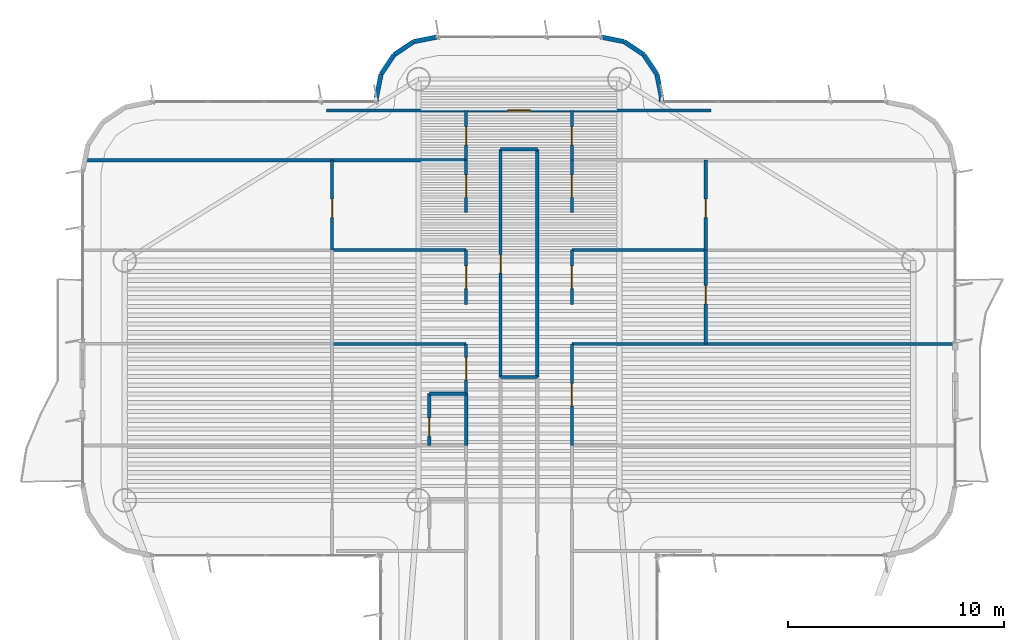
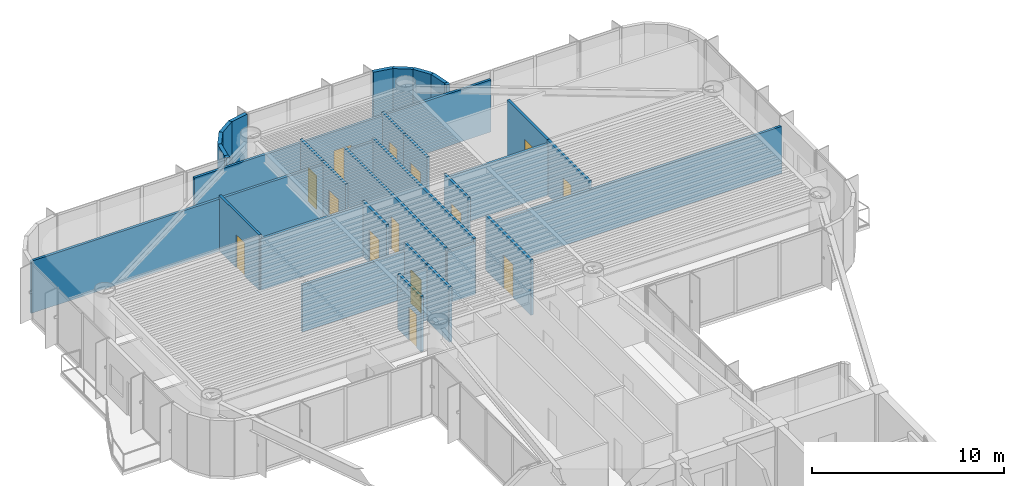
# One storey, part 11 of 14: 34 walls, 14 doors, 14 openings.
"""IFC4 building model written with IfcOpenShell, lengths in metres."""

from ifc_helpers import new_model, si_unit, direction, frame, frame_2d, origin, origin_2d, place, context, subcontext, project, spatial, rectangle, extrude, source, transform, mapped, material, layer, layer_set, type_object, element, fill, save


model = new_model("IFC4")

# Units and contexts
model_context = context("Model", 3, precision=1e-05, world=origin(), true_north=direction((0.0, 1.0)))
body_context = subcontext(model_context, "Body", "Model", "MODEL_VIEW")
ifc_project = project(units=[si_unit("LENGTHUNIT", "METRE"), si_unit("AREAUNIT", "SQUARE_METRE"), si_unit("VOLUMEUNIT", "CUBIC_METRE"), si_unit("PLANEANGLEUNIT", "RADIAN"), si_unit("MASSUNIT", "GRAM", prefix="KILO")], contexts=[model_context])

# Site, building, storey
site_placement = place(None, origin())
site = spatial("IfcSite", under=ifc_project, at=site_placement, CompositionType="ELEMENT")
building_placement = place(site_placement, origin())
building = spatial("IfcBuilding", under=site, at=building_placement, Name="Brelvock Crest Care Tower", CompositionType="ELEMENT")
storey_placement = place(building_placement, frame((0.0, 0.0, 198.0)))
storey = spatial("IfcBuildingStorey", under=building, at=storey_placement, Name="L50", CompositionType="ELEMENT", Elevation=198.0)

# Walls
ifc_material_1 = material(Name="Precast concrete N40 (40 MPa)", Category="concrete")
ifc_layer_1 = layer(ifc_material_1, 0.215087890625, Name="WL-EX2")
ifc_layer_set_1 = layer_set([ifc_layer_1], Name="Precast concrete N40 (40 MPa)")
wall_type_1 = type_object("IfcWallType", Name="WL-EX2", PredefinedType="SOLIDWALL", material=ifc_layer_set_1)
wall_1_placement = place(storey_placement, frame((29.39990234375, 53.39990234375, 0.0), z_axis=(0.0, 0.0, 1.0), x_axis=(0.0, 1.0, 0.0)))
element("IfcWall", 1, at=wall_1_placement, inside=storey, type_object=wall_type_1, Name="L50 Rounded Corner Wall 23", PredefinedType="SOLIDWALL", context=body_context, shape_type="SweptSolid", body=[
    extrude(rectangle(XDim=0.2001953125, YDim=0.215087890625, at=frame_2d((0.10009765625, 0.0))), origin(), (0.0, 0.0, 1.0), 3.530029296875),
])
wall_2_placement = place(storey_placement, frame((29.39990234375, 53.60009765625, 0.0), z_axis=(0.0, 0.0, 1.0), x_axis=(0.195127417394, 0.980777900945, 0.0)))
element("IfcWall", 2, at=wall_2_placement, inside=storey, type_object=wall_type_1, Name="L50 Rounded Corner Wall 24", PredefinedType="SOLIDWALL", context=body_context, shape_type="SweptSolid", body=[
    extrude(rectangle(XDim=1.09228515625, YDim=0.215087890625, at=frame_2d((0.546142578125, 0.0))), origin(), (0.0, 0.0, 1.0), 3.530029296875),
])
wall_3_placement = place(storey_placement, frame((29.613037109375, 54.67138671875, 0.0), z_axis=(0.0, 0.0, 1.0), x_axis=(0.555679482341, 0.831396603857, 0.0)))
element("IfcWall", 3, at=wall_3_placement, inside=storey, type_object=wall_type_1, Name="L50 Rounded Corner Wall 25", PredefinedType="SOLIDWALL", context=body_context, shape_type="SweptSolid", body=[
    extrude(rectangle(XDim=1.0927734375, YDim=0.215087890625, at=frame_2d((0.54638671875, 0.0))), origin(), (0.0, 0.0, 1.0), 3.530029296875),
])
for number, where, z_axis, x_axis, name in (
    (4, (30.22021484375, 55.579833984375, 0.0), (0.0, 0.0, 1.0), (0.831327592857, 0.555782721353, 0.0), "L50 Rounded Corner Wall 26"),
    (5, (31.12841796875, 56.18701171875, 0.0), (0.0, 0.0, 1.0), (0.980829143587, 0.194869677195, 0.0), "L50 Rounded Corner Wall 27"),
    (6, (39.800048828125, 56.39990234375, 0.0), (0.0, 0.0, 1.0), (0.980829143587, -0.194869677195, 0.0), "L50 Rounded Corner Wall 29"),
    (7, (40.87158203125, 56.18701171875, 0.0), (0.0, 0.0, 1.0), (0.831327592857, -0.555782721353, 0.0), "L50 Rounded Corner Wall 30"),
):
    element("IfcWall", number, at=place(storey_placement, frame(where, z_axis=z_axis, x_axis=x_axis)), inside=storey, type_object=wall_type_1, Name=name, PredefinedType="SOLIDWALL", context=body_context, shape_type="SweptSolid", body=[
        extrude(rectangle(XDim=1.092529296875, YDim=0.215087890625, at=frame_2d((0.54638671875, 0.0))), origin(), (0.0, 0.0, 1.0), 3.530029296875),
    ])
wall_4_placement = place(storey_placement, frame((41.77978515625, 55.579833984375, 0.0), z_axis=(0.0, 0.0, 1.0), x_axis=(0.555679482341, -0.831396603857, 0.0)))
element("IfcWall", 8, at=wall_4_placement, inside=storey, type_object=wall_type_1, Name="L50 Rounded Corner Wall 31", PredefinedType="SOLIDWALL", context=body_context, shape_type="SweptSolid", body=[
    extrude(rectangle(XDim=1.0927734375, YDim=0.215087890625, at=frame_2d((0.54638671875, 0.0))), origin(), (0.0, 0.0, 1.0), 3.530029296875),
])
wall_5_placement = place(storey_placement, frame((42.386962890625, 54.67138671875, 0.0), z_axis=(0.0, 0.0, 1.0), x_axis=(0.195127417394, -0.980777900945, 0.0)))
element("IfcWall", 9, at=wall_5_placement, inside=storey, type_object=wall_type_1, Name="L50 Rounded Corner Wall 32", PredefinedType="SOLIDWALL", context=body_context, shape_type="SweptSolid", body=[
    extrude(rectangle(XDim=1.09228515625, YDim=0.215087890625, at=frame_2d((0.546142578125, 0.0))), origin(), (0.0, 0.0, 1.0), 3.530029296875),
])
wall_6_placement = place(storey_placement, frame((42.60009765625, 53.60009765625, 0.0), z_axis=(0.0, 0.0, 1.0), x_axis=(0.0, -1.0, 0.0)))
element("IfcWall", 10, at=wall_6_placement, inside=storey, type_object=wall_type_1, Name="L50 Rounded Corner Wall 33", PredefinedType="SOLIDWALL", context=body_context, shape_type="SweptSolid", body=[
    extrude(rectangle(XDim=0.2001953125, YDim=0.215087890625, at=frame_2d((0.10009765625, 0.0))), origin(), (0.0, 0.0, 1.0), 3.530029296875),
])
ifc_material_2 = material(Name="Masonry Blockwork Acoustic Partition", Category="masonry")
ifc_layer_2 = layer(ifc_material_2, 0.14990234375, Name="WL-INT1")
ifc_layer_set_2 = layer_set([ifc_layer_2], Name="Masonry Blockwork Acoustic Partition")
wall_type_2 = type_object("IfcWallType", Name="WL-INT1", PredefinedType="PARTITIONING", material=ifc_layer_set_2)
wall_7_placement = place(storey_placement, frame((35.14990234375, 40.659912109375, 0.0), z_axis=(0.0, 0.0, 1.0), x_axis=(1.0, 0.0, 0.0)))
element("IfcWall", 11, at=wall_7_placement, inside=storey, type_object=wall_type_2, Name="L50 Interior Wall WL-BX-L50-ISKT-S", PredefinedType="PARTITIONING", context=body_context, shape_type="SweptSolid", body=[
    extrude(rectangle(XDim=1.7001953125, YDim=0.14990234375, at=frame_2d((0.85009765625, 0.0))), origin(), (0.0, 0.0, 1.0), 3.259033203125),
])
wall_8_placement = place(storey_placement, frame((27.35009765625, 42.193115234375, 0.0), z_axis=(0.0, 0.0, 1.0), x_axis=(1.0, 0.0, 0.0)))
element("IfcWall", 12, at=wall_8_placement, inside=storey, type_object=wall_type_2, Name="L50 Interior Wall WL-BX-L50-CS-WS2-N", PredefinedType="PARTITIONING", context=body_context, shape_type="SweptSolid", body=[
    extrude(rectangle(XDim=6.199951171875, YDim=0.14990234375, at=frame_2d((3.10009765625, 0.0))), origin(), (0.0, 0.0, 1.0), 2.98193359375),
])
wall_9_placement = place(storey_placement, frame((38.449951171875, 42.193115234375, 0.0), z_axis=(0.0, 0.0, 1.0), x_axis=(1.0, 0.0, 0.0)))
element("IfcWall", 13, at=wall_9_placement, inside=storey, type_object=wall_type_2, Name="L50 Interior Wall WL-BX-L50-ESW2-N", PredefinedType="PARTITIONING", context=body_context, shape_type="SweptSolid", body=[
    extrude(rectangle(XDim=17.670166015625, YDim=0.14990234375, at=frame_2d((8.8349609375, 0.0))), origin(), (0.0, 0.0, 1.0), 2.98193359375),
])
for number, where, z_axis, x_axis, name in (
    (14, (27.35009765625, 46.537109375, 0.0), (0.0, 0.0, 1.0), (1.0, 0.0, 0.0), "L50 Interior Wall WL-BX-L50-CS-WS3-N"),
    (15, (38.449951171875, 46.537109375, 0.0), (0.0, 0.0, 1.0), (1.0, 0.0, 0.0), "L50 Interior Wall WL-BX-L50-CS-ES3-N"),
):
    element("IfcWall", number, at=place(storey_placement, frame(where, z_axis=z_axis, x_axis=x_axis)), inside=storey, type_object=wall_type_2, Name=name, PredefinedType="PARTITIONING", context=body_context, shape_type="SweptSolid", body=[
        extrude(rectangle(XDim=6.199951171875, YDim=0.14990234375, at=frame_2d((3.10009765625, 0.0))), origin(), (0.0, 0.0, 1.0), 3.259033203125),
    ])
wall_10_placement = place(storey_placement, frame((15.98095703125, 50.699951171875, 0.0), z_axis=(0.0, 0.0, 1.0), x_axis=(1.0, 0.0, 0.0)))
element("IfcWall", 16, at=wall_10_placement, inside=storey, type_object=wall_type_2, Name="L50 Interior Wall WL-BX-L50-NALW-S", PredefinedType="PARTITIONING", context=body_context, shape_type="SweptSolid", body=[
    extrude(rectangle(XDim=17.569091796875, YDim=0.14990234375, at=frame_2d((8.78466796875, 0.0))), origin(), (0.0, 0.0, 1.0), 3.30810546875),
])
wall_11_placement = place(storey_placement, frame((35.14990234375, 51.199951171875, 0.0), z_axis=(0.0, 0.0, 1.0), x_axis=(1.0, 0.0, 0.0)))
element("IfcWall", 17, at=wall_11_placement, inside=storey, type_object=wall_type_2, Name="L50 Interior Wall WL-BX-L50-ISKT-N", PredefinedType="PARTITIONING", context=body_context, shape_type="SweptSolid", body=[
    extrude(rectangle(XDim=1.7001953125, YDim=0.14990234375, at=frame_2d((0.85009765625, 0.0))), origin(), (0.0, 0.0, 1.0), 3.30810546875),
])

# Wall, opening, door
wall_12_placement = place(storey_placement, frame((27.10009765625, 53.0, 0.0), z_axis=(0.0, 0.0, 1.0), x_axis=(1.0, 0.0, 0.0)))
wall_12 = element("IfcWall", 18, at=wall_12_placement, inside=storey, type_object=wall_type_2, Name="L50 Interior Wall WL-RM-L50-NHUB", PredefinedType="PARTITIONING", context=body_context, shape_type="SweptSolid", body=[
    extrude(rectangle(XDim=17.7998046875, YDim=0.14990234375, at=frame_2d((8.89990234375, 0.0))), origin(), (0.0, 0.0, 1.0), 3.30810546875),
])
opening_1_placement = place(wall_12_placement, frame((8.375, 0.0, 0.0)))
opening_1 = element("IfcOpeningElement", 19, at=opening_1_placement, cuts=wall_12, Name="Opening CLD-1", PredefinedType="OPENING", context=body_context, shape_type="SweptSolid", body=[
    extrude(rectangle(XDim=1.050048828125, YDim=2.10009765625, at=origin_2d()), frame((0.52490234375, 0.0849609375, 1.050048828125), z_axis=(0.0, -1.0, 0.0), x_axis=(1.0, 0.0, 0.0)), (0.0, 0.0, 1.0), 0.169921875),
])
ifc_material_3 = material(Name="Engineered Hardwood Timber", Category="wood")
door_type_1 = type_object("IfcDoorType", Name="DR-CLN1", OperationType="NOTDEFINED", PredefinedType="DOOR", material=ifc_material_3)
shared_shape_1 = source(origin(), body_context, "Body", "SweptSolid", [
    extrude(rectangle(XDim=1.050048828125, YDim=2.10009765625, at=origin_2d()), frame((0.52490234375, 0.02490234375, 1.050048828125), z_axis=(0.0, -1.0, 0.0), x_axis=(1.0, 0.0, 0.0)), (0.0, 0.0, 1.0), 0.050048828125),
])
door_1_placement = place(opening_1_placement, origin())
door_1 = element("IfcDoor", 20, at=door_1_placement, inside=storey, type_object=door_type_1, Name="L50 North Crest Conservatory Lounge Door NHUB", OperationType="SINGLE_SWING_LEFT", OverallHeight=2.10009765625, OverallWidth=1.050048828125, PredefinedType="DOOR", context=body_context, shape_type="MappedRepresentation", body=[
    mapped(shared_shape_1, transform((0.0, 0.0, 0.0), x_axis=(1.0, 0.0, 0.0), y_axis=(0.0, 1.0, 0.0), z_axis=(0.0, 0.0, 1.0), scale=1.0)),
])
fill(opening_1, door_1)

wall_13_placement = place(storey_placement, frame((27.35009765625, 46.537109375, 0.0), z_axis=(0.0, 0.0, 1.0), x_axis=(0.0, 1.0, 0.0)))
wall_13 = element("IfcWall", 21, at=wall_13_placement, inside=storey, type_object=wall_type_2, Name="L50 Interior Wall WL-RM-L50-WS4S", PredefinedType="PARTITIONING", context=body_context, shape_type="SweptSolid", body=[
    extrude(rectangle(XDim=4.162841796875, YDim=0.14990234375, at=frame_2d((2.08154296875, 0.0))), origin(), (0.0, 0.0, 1.0), 3.5),
])
opening_2_placement = place(wall_13_placement, frame((1.5029296875, 0.0, 0.0)))
opening_2 = element("IfcOpeningElement", 22, at=opening_2_placement, cuts=wall_13, Name="Opening ID-1", PredefinedType="OPENING", context=body_context, shape_type="SweptSolid", body=[
    extrude(rectangle(XDim=0.860107421875, YDim=2.10009765625, at=origin_2d()), frame((0.43017578125, 0.0849609375, 1.050048828125), z_axis=(0.0, -1.0, 0.0), x_axis=(1.0, 0.0, 0.0)), (0.0, 0.0, 1.0), 0.169921875),
])
door_type_2 = type_object("IfcDoorType", Name="DR-INT1", OperationType="NOTDEFINED", PredefinedType="DOOR", material=ifc_material_3)
shared_shape_2 = source(origin(), body_context, "Body", "SweptSolid", [
    extrude(rectangle(XDim=0.860107421875, YDim=2.10009765625, at=origin_2d()), frame((0.43017578125, 0.02490234375, 1.050048828125), z_axis=(0.0, -1.0, 0.0), x_axis=(1.0, 0.0, 0.0)), (0.0, 0.0, 1.0), 0.050048828125),
])
door_2_placement = place(opening_2_placement, origin())
door_2 = element("IfcDoor", 23, at=door_2_placement, inside=storey, type_object=door_type_2, Name="L50 Skilled Nursing Mobility Store Door WS4S", OperationType="SINGLE_SWING_LEFT", OverallHeight=2.10009765625, OverallWidth=0.860107421875, PredefinedType="DOOR", context=body_context, shape_type="MappedRepresentation", body=[
    mapped(shared_shape_2, transform((0.0, 0.0, 0.0), x_axis=(1.0, 0.0, 0.0), y_axis=(0.0, 1.0, 0.0), z_axis=(0.0, 0.0, 1.0), scale=1.0)),
])
fill(opening_2, door_2)

wall_14_placement = place(storey_placement, frame((33.550048828125, 39.886962890625, 0.0), z_axis=(0.0, 0.0, 1.0), x_axis=(0.0, 1.0, 0.0)))
wall_14 = element("IfcWall", 24, at=wall_14_placement, inside=storey, type_object=wall_type_2, Name="L50 Interior Wall WL-CENT-L50-WS2", PredefinedType="PARTITIONING", context=body_context, shape_type="SweptSolid", body=[
    extrude(rectangle(XDim=2.30615234375, YDim=0.14990234375, at=frame_2d((1.153076171875, 0.0))), origin(), (0.0, 0.0, 1.0), 3.5),
])
opening_3_placement = place(wall_14_placement, frame((0.633056640625, 0.0, 0.0)))
opening_3 = element("IfcOpeningElement", 25, at=opening_3_placement, cuts=wall_14, Name="Opening CD-1", PredefinedType="OPENING", context=body_context, shape_type="SweptSolid", body=[
    extrude(rectangle(XDim=1.050048828125, YDim=2.10009765625, at=origin_2d()), frame((0.52490234375, 0.0849609375, 1.050048828125), z_axis=(0.0, -1.0, 0.0), x_axis=(1.0, 0.0, 0.0)), (0.0, 0.0, 1.0), 0.169921875),
])
door_type_3 = type_object("IfcDoorType", Name="DR-CARE1", OperationType="NOTDEFINED", PredefinedType="DOOR", material=ifc_material_3)
shared_shape_3 = source(origin(), body_context, "Body", "SweptSolid", [
    extrude(rectangle(XDim=1.050048828125, YDim=2.10009765625, at=origin_2d()), frame((0.52490234375, 0.02490234375, 1.050048828125), z_axis=(0.0, -1.0, 0.0), x_axis=(1.0, 0.0, 0.0)), (0.0, 0.0, 1.0), 0.050048828125),
])
door_3_placement = place(opening_3_placement, origin())
door_3 = element("IfcDoor", 26, at=door_3_placement, inside=storey, type_object=door_type_3, Name="L50 Care Suite Door WS2", OperationType="SINGLE_SWING_LEFT", OverallHeight=2.10009765625, OverallWidth=1.050048828125, PredefinedType="DOOR", context=body_context, shape_type="MappedRepresentation", body=[
    mapped(shared_shape_3, transform((0.0, 0.0, 0.0), x_axis=(1.0, 0.0, 0.0), y_axis=(0.0, 1.0, 0.0), z_axis=(0.0, 0.0, 1.0), scale=1.0)),
])
fill(opening_3, door_3)

wall_15_placement = place(storey_placement, frame((33.550048828125, 44.01708984375, 0.0), z_axis=(0.0, 0.0, 1.0), x_axis=(0.0, 1.0, 0.0)))
wall_15 = element("IfcWall", 27, at=wall_15_placement, inside=storey, type_object=wall_type_2, Name="L50 Interior Wall WL-CENT-L50-WS3", PredefinedType="PARTITIONING", context=body_context, shape_type="SweptSolid", body=[
    extrude(rectangle(XDim=2.52001953125, YDim=0.14990234375, at=frame_2d((1.260009765625, 0.0))), origin(), (0.0, 0.0, 1.0), 3.5),
])
opening_4_placement = place(wall_15_placement, frame((0.739990234375, 0.0, 0.0)))
opening_4 = element("IfcOpeningElement", 28, at=opening_4_placement, cuts=wall_15, Name="Opening CD-1", PredefinedType="OPENING", context=body_context, shape_type="SweptSolid", body=[
    extrude(rectangle(XDim=1.050048828125, YDim=2.10009765625, at=origin_2d()), frame((0.52490234375, 0.0849609375, 1.050048828125), z_axis=(0.0, -1.0, 0.0), x_axis=(1.0, 0.0, 0.0)), (0.0, 0.0, 1.0), 0.169921875),
])
door_4_placement = place(opening_4_placement, origin())
door_4 = element("IfcDoor", 29, at=door_4_placement, inside=storey, type_object=door_type_3, Name="L50 Care Suite Door WS3", OperationType="SINGLE_SWING_LEFT", OverallHeight=2.10009765625, OverallWidth=1.050048828125, PredefinedType="DOOR", context=body_context, shape_type="MappedRepresentation", body=[
    mapped(shared_shape_3, transform((0.0, 0.0, 0.0), x_axis=(1.0, 0.0, 0.0), y_axis=(0.0, 1.0, 0.0), z_axis=(0.0, 0.0, 1.0), scale=1.0)),
])
fill(opening_4, door_4)

wall_16_placement = place(storey_placement, frame((33.550048828125, 48.284912109375, 0.0), z_axis=(0.0, 0.0, 1.0), x_axis=(0.0, 1.0, 0.0)))
wall_16 = element("IfcWall", 30, at=wall_16_placement, inside=storey, type_object=wall_type_2, Name="L50 Interior Wall WL-CENT-L50-WS4", PredefinedType="PARTITIONING", context=body_context, shape_type="SweptSolid", body=[
    extrude(rectangle(XDim=2.4150390625, YDim=0.14990234375, at=frame_2d((1.20751953125, 0.0))), origin(), (0.0, 0.0, 1.0), 3.5),
])
opening_5_placement = place(wall_16_placement, frame((0.68798828125, 0.0, 0.0)))
opening_5 = element("IfcOpeningElement", 31, at=opening_5_placement, cuts=wall_16, Name="Opening CD-1", PredefinedType="OPENING", context=body_context, shape_type="SweptSolid", body=[
    extrude(rectangle(XDim=1.050048828125, YDim=2.10009765625, at=origin_2d()), frame((0.52490234375, 0.0849609375, 1.050048828125), z_axis=(0.0, -1.0, 0.0), x_axis=(1.0, 0.0, 0.0)), (0.0, 0.0, 1.0), 0.169921875),
])
door_5_placement = place(opening_5_placement, origin())
door_5 = element("IfcDoor", 32, at=door_5_placement, inside=storey, type_object=door_type_3, Name="L50 Care Suite Door WS4", OperationType="SINGLE_SWING_LEFT", OverallHeight=2.10009765625, OverallWidth=1.050048828125, PredefinedType="DOOR", context=body_context, shape_type="MappedRepresentation", body=[
    mapped(shared_shape_3, transform((0.0, 0.0, 0.0), x_axis=(1.0, 0.0, 0.0), y_axis=(0.0, 1.0, 0.0), z_axis=(0.0, 0.0, 1.0), scale=1.0)),
])
fill(opening_5, door_5)

wall_17_placement = place(storey_placement, frame((33.550048828125, 50.699951171875, 0.0), z_axis=(0.0, 0.0, 1.0), x_axis=(0.0, 1.0, 0.0)))
wall_17 = element("IfcWall", 33, at=wall_17_placement, inside=storey, type_object=wall_type_2, Name="L50 Interior Wall WL-RM-L50-NALW", PredefinedType="PARTITIONING", context=body_context, shape_type="SweptSolid", body=[
    extrude(rectangle(XDim=2.300048828125, YDim=0.14990234375, at=frame_2d((1.14990234375, 0.0))), origin(), (0.0, 0.0, 1.0), 3.5),
])
opening_6_placement = place(wall_17_placement, frame((0.68994140625, 0.0, 0.0)))
opening_6 = element("IfcOpeningElement", 34, at=opening_6_placement, cuts=wall_17, Name="Opening ID-1", PredefinedType="OPENING", context=body_context, shape_type="SweptSolid", body=[
    extrude(rectangle(XDim=0.860107421875, YDim=2.10009765625, at=origin_2d()), frame((0.43017578125, 0.0849609375, 1.050048828125), z_axis=(0.0, -1.0, 0.0), x_axis=(1.0, 0.0, 0.0)), (0.0, 0.0, 1.0), 0.169921875),
])
door_6_placement = place(opening_6_placement, origin())
door_6 = element("IfcDoor", 35, at=door_6_placement, inside=storey, type_object=door_type_2, Name="L50 North West Sun Alcove Door NALW", OperationType="SINGLE_SWING_LEFT", OverallHeight=2.10009765625, OverallWidth=0.860107421875, PredefinedType="DOOR", context=body_context, shape_type="MappedRepresentation", body=[
    mapped(shared_shape_2, transform((0.0, 0.0, 0.0), x_axis=(1.0, 0.0, 0.0), y_axis=(0.0, 1.0, 0.0), z_axis=(0.0, 0.0, 1.0), scale=1.0)),
])
fill(opening_6, door_6)

wall_18_placement = place(storey_placement, frame((35.14990234375, 40.659912109375, 0.0), z_axis=(0.0, 0.0, 1.0), x_axis=(0.0, 1.0, 0.0)))
wall_18 = element("IfcWall", 36, at=wall_18_placement, inside=storey, type_object=wall_type_2, Name="L50 Interior Wall WL-RM-L50-ISKT", PredefinedType="PARTITIONING", context=body_context, shape_type="SweptSolid", body=[
    extrude(rectangle(XDim=10.5400390625, YDim=0.14990234375, at=frame_2d((5.27001953125, 0.0))), origin(), (0.0, 0.0, 1.0), 3.5),
])
opening_7_placement = place(wall_18_placement, frame((4.81005859375, 0.0, 0.0)))
opening_7 = element("IfcOpeningElement", 37, at=opening_7_placement, cuts=wall_18, Name="Opening ID-1", PredefinedType="OPENING", context=body_context, shape_type="SweptSolid", body=[
    extrude(rectangle(XDim=0.860107421875, YDim=2.10009765625, at=origin_2d()), frame((0.43017578125, 0.0849609375, 1.050048828125), z_axis=(0.0, -1.0, 0.0), x_axis=(1.0, 0.0, 0.0)), (0.0, 0.0, 1.0), 0.169921875),
])
door_7_placement = place(opening_7_placement, origin())
door_7 = element("IfcDoor", 38, at=door_7_placement, inside=storey, type_object=door_type_2, Name="L50 Communal Tea and Nutrition Pantry Door ISKT", OperationType="SINGLE_SWING_LEFT", OverallHeight=2.10009765625, OverallWidth=0.860107421875, PredefinedType="DOOR", context=body_context, shape_type="MappedRepresentation", body=[
    mapped(shared_shape_2, transform((0.0, 0.0, 0.0), x_axis=(1.0, 0.0, 0.0), y_axis=(0.0, 1.0, 0.0), z_axis=(0.0, 0.0, 1.0), scale=1.0)),
])
fill(opening_7, door_7)

# Wall
wall_19_placement = place(storey_placement, frame((36.85009765625, 40.659912109375, 0.0), z_axis=(0.0, 0.0, 1.0), x_axis=(0.0, 1.0, 0.0)))
element("IfcWall", 39, at=wall_19_placement, inside=storey, type_object=wall_type_2, Name="L50 Interior Wall WL-BX-L50-ISKT-E", PredefinedType="PARTITIONING", context=body_context, shape_type="SweptSolid", body=[
    extrude(rectangle(XDim=10.5400390625, YDim=0.14990234375, at=frame_2d((5.27001953125, 0.0))), origin(), (0.0, 0.0, 1.0), 3.5),
])

# Wall, opening, door
wall_20_placement = place(storey_placement, frame((38.449951171875, 37.487060546875, 0.0), z_axis=(0.0, 0.0, 1.0), x_axis=(0.0, 1.0, 0.0)))
wall_20 = element("IfcWall", 40, at=wall_20_placement, inside=storey, type_object=wall_type_2, Name="L50 Interior Wall WL-RM-L50-ESW2", PredefinedType="PARTITIONING", context=body_context, shape_type="SweptSolid", body=[
    extrude(rectangle(XDim=4.7060546875, YDim=0.14990234375, at=frame_2d((2.35302734375, 0.0))), origin(), (0.0, 0.0, 1.0), 3.5),
])
opening_8_placement = place(wall_20_placement, frame((1.827880859375, 0.0, 0.0)))
opening_8 = element("IfcOpeningElement", 41, at=opening_8_placement, cuts=wall_20, Name="Opening CD-1", PredefinedType="OPENING", context=body_context, shape_type="SweptSolid", body=[
    extrude(rectangle(XDim=1.050048828125, YDim=2.10009765625, at=origin_2d()), frame((0.52490234375, 0.0849609375, 1.050048828125), z_axis=(0.0, -1.0, 0.0), x_axis=(1.0, 0.0, 0.0)), (0.0, 0.0, 1.0), 0.169921875),
])
door_8_placement = place(opening_8_placement, origin())
door_8 = element("IfcDoor", 42, at=door_8_placement, inside=storey, type_object=door_type_3, Name="L50 Sub-Acute Geriatric Therapy Clinic Door ESW2", OperationType="SINGLE_SWING_LEFT", OverallHeight=2.10009765625, OverallWidth=1.050048828125, PredefinedType="DOOR", context=body_context, shape_type="MappedRepresentation", body=[
    mapped(shared_shape_3, transform((0.0, 0.0, 0.0), x_axis=(1.0, 0.0, 0.0), y_axis=(0.0, 1.0, 0.0), z_axis=(0.0, 0.0, 1.0), scale=1.0)),
])
fill(opening_8, door_8)

wall_21_placement = place(storey_placement, frame((38.449951171875, 44.01708984375, 0.0), z_axis=(0.0, 0.0, 1.0), x_axis=(0.0, 1.0, 0.0)))
wall_21 = element("IfcWall", 43, at=wall_21_placement, inside=storey, type_object=wall_type_2, Name="L50 Interior Wall WL-CENT-L50-ES3", PredefinedType="PARTITIONING", context=body_context, shape_type="SweptSolid", body=[
    extrude(rectangle(XDim=2.52001953125, YDim=0.14990234375, at=frame_2d((1.260009765625, 0.0))), origin(), (0.0, 0.0, 1.0), 3.5),
])
opening_9_placement = place(wall_21_placement, frame((0.739990234375, 0.0, 0.0)))
opening_9 = element("IfcOpeningElement", 44, at=opening_9_placement, cuts=wall_21, Name="Opening CD-1", PredefinedType="OPENING", context=body_context, shape_type="SweptSolid", body=[
    extrude(rectangle(XDim=1.050048828125, YDim=2.10009765625, at=origin_2d()), frame((0.52490234375, 0.0849609375, 1.050048828125), z_axis=(0.0, -1.0, 0.0), x_axis=(1.0, 0.0, 0.0)), (0.0, 0.0, 1.0), 0.169921875),
])
door_9_placement = place(opening_9_placement, origin())
door_9 = element("IfcDoor", 45, at=door_9_placement, inside=storey, type_object=door_type_3, Name="L50 Care Suite Door ES3", OperationType="SINGLE_SWING_LEFT", OverallHeight=2.10009765625, OverallWidth=1.050048828125, PredefinedType="DOOR", context=body_context, shape_type="MappedRepresentation", body=[
    mapped(shared_shape_3, transform((0.0, 0.0, 0.0), x_axis=(1.0, 0.0, 0.0), y_axis=(0.0, 1.0, 0.0), z_axis=(0.0, 0.0, 1.0), scale=1.0)),
])
fill(opening_9, door_9)

wall_22_placement = place(storey_placement, frame((38.449951171875, 48.284912109375, 0.0), z_axis=(0.0, 0.0, 1.0), x_axis=(0.0, 1.0, 0.0)))
wall_22 = element("IfcWall", 46, at=wall_22_placement, inside=storey, type_object=wall_type_2, Name="L50 Interior Wall WL-CENT-L50-ES4", PredefinedType="PARTITIONING", context=body_context, shape_type="SweptSolid", body=[
    extrude(rectangle(XDim=2.4150390625, YDim=0.14990234375, at=frame_2d((1.20751953125, 0.0))), origin(), (0.0, 0.0, 1.0), 3.5),
])
opening_10_placement = place(wall_22_placement, frame((0.68798828125, 0.0, 0.0)))
opening_10 = element("IfcOpeningElement", 47, at=opening_10_placement, cuts=wall_22, Name="Opening CD-1", PredefinedType="OPENING", context=body_context, shape_type="SweptSolid", body=[
    extrude(rectangle(XDim=1.050048828125, YDim=2.10009765625, at=origin_2d()), frame((0.52490234375, 0.0849609375, 1.050048828125), z_axis=(0.0, -1.0, 0.0), x_axis=(1.0, 0.0, 0.0)), (0.0, 0.0, 1.0), 0.169921875),
])
door_10_placement = place(opening_10_placement, origin())
door_10 = element("IfcDoor", 48, at=door_10_placement, inside=storey, type_object=door_type_3, Name="L50 Care Suite Door ES4", OperationType="SINGLE_SWING_LEFT", OverallHeight=2.10009765625, OverallWidth=1.050048828125, PredefinedType="DOOR", context=body_context, shape_type="MappedRepresentation", body=[
    mapped(shared_shape_3, transform((0.0, 0.0, 0.0), x_axis=(1.0, 0.0, 0.0), y_axis=(0.0, 1.0, 0.0), z_axis=(0.0, 0.0, 1.0), scale=1.0)),
])
fill(opening_10, door_10)

wall_23_placement = place(storey_placement, frame((38.449951171875, 50.699951171875, 0.0), z_axis=(0.0, 0.0, 1.0), x_axis=(0.0, 1.0, 0.0)))
wall_23 = element("IfcWall", 49, at=wall_23_placement, inside=storey, type_object=wall_type_2, Name="L50 Interior Wall WL-RM-L50-NALE", PredefinedType="PARTITIONING", context=body_context, shape_type="SweptSolid", body=[
    extrude(rectangle(XDim=2.300048828125, YDim=0.14990234375, at=frame_2d((1.14990234375, 0.0))), origin(), (0.0, 0.0, 1.0), 3.5),
])
opening_11_placement = place(wall_23_placement, frame((0.68994140625, 0.0, 0.0)))
opening_11 = element("IfcOpeningElement", 50, at=opening_11_placement, cuts=wall_23, Name="Opening ID-1", PredefinedType="OPENING", context=body_context, shape_type="SweptSolid", body=[
    extrude(rectangle(XDim=0.860107421875, YDim=2.10009765625, at=origin_2d()), frame((0.43017578125, 0.0849609375, 1.050048828125), z_axis=(0.0, -1.0, 0.0), x_axis=(1.0, 0.0, 0.0)), (0.0, 0.0, 1.0), 0.169921875),
])
door_11_placement = place(opening_11_placement, origin())
door_11 = element("IfcDoor", 51, at=door_11_placement, inside=storey, type_object=door_type_2, Name="L50 North East Tea Alcove Door NALE", OperationType="SINGLE_SWING_LEFT", OverallHeight=2.10009765625, OverallWidth=0.860107421875, PredefinedType="DOOR", context=body_context, shape_type="MappedRepresentation", body=[
    mapped(shared_shape_2, transform((0.0, 0.0, 0.0), x_axis=(1.0, 0.0, 0.0), y_axis=(0.0, 1.0, 0.0), z_axis=(0.0, 0.0, 1.0), scale=1.0)),
])
fill(opening_11, door_11)

wall_24_placement = place(storey_placement, frame((44.64990234375, 42.193115234375, 0.0), z_axis=(0.0, 0.0, 1.0), x_axis=(0.0, 1.0, 0.0)))
wall_24 = element("IfcWall", 52, at=wall_24_placement, inside=storey, type_object=wall_type_2, Name="L50 Interior Wall WL-RM-L50-ES3S", PredefinedType="PARTITIONING", context=body_context, shape_type="SweptSolid", body=[
    extrude(rectangle(XDim=4.343994140625, YDim=0.14990234375, at=frame_2d((2.171875, 0.0))), origin(), (0.0, 0.0, 1.0), 3.5),
])
opening_12_placement = place(wall_24_placement, frame((1.846923828125, 0.0, 0.0)))
opening_12 = element("IfcOpeningElement", 53, at=opening_12_placement, cuts=wall_24, Name="Opening ID-1", PredefinedType="OPENING", context=body_context, shape_type="SweptSolid", body=[
    extrude(rectangle(XDim=0.860107421875, YDim=2.10009765625, at=origin_2d()), frame((0.43017578125, 0.0849609375, 1.050048828125), z_axis=(0.0, -1.0, 0.0), x_axis=(1.0, 0.0, 0.0)), (0.0, 0.0, 1.0), 0.169921875),
])
door_12_placement = place(opening_12_placement, origin())
door_12 = element("IfcDoor", 54, at=door_12_placement, inside=storey, type_object=door_type_2, Name="L50 Skilled Nursing Mobility Store Door ES3S", OperationType="SINGLE_SWING_LEFT", OverallHeight=2.10009765625, OverallWidth=0.860107421875, PredefinedType="DOOR", context=body_context, shape_type="MappedRepresentation", body=[
    mapped(shared_shape_2, transform((0.0, 0.0, 0.0), x_axis=(1.0, 0.0, 0.0), y_axis=(0.0, 1.0, 0.0), z_axis=(0.0, 0.0, 1.0), scale=1.0)),
])
fill(opening_12, door_12)

wall_25_placement = place(storey_placement, frame((44.64990234375, 46.537109375, 0.0), z_axis=(0.0, 0.0, 1.0), x_axis=(0.0, 1.0, 0.0)))
wall_25 = element("IfcWall", 55, at=wall_25_placement, inside=storey, type_object=wall_type_2, Name="L50 Interior Wall WL-RM-L50-ES4S", PredefinedType="PARTITIONING", context=body_context, shape_type="SweptSolid", body=[
    extrude(rectangle(XDim=4.162841796875, YDim=0.14990234375, at=frame_2d((2.08154296875, 0.0))), origin(), (0.0, 0.0, 1.0), 3.5),
])
opening_13_placement = place(wall_25_placement, frame((1.5029296875, 0.0, 0.0)))
opening_13 = element("IfcOpeningElement", 56, at=opening_13_placement, cuts=wall_25, Name="Opening ID-1", PredefinedType="OPENING", context=body_context, shape_type="SweptSolid", body=[
    extrude(rectangle(XDim=0.860107421875, YDim=2.10009765625, at=origin_2d()), frame((0.43017578125, 0.0849609375, 1.050048828125), z_axis=(0.0, -1.0, 0.0), x_axis=(1.0, 0.0, 0.0)), (0.0, 0.0, 1.0), 0.169921875),
])
door_13_placement = place(opening_13_placement, origin())
door_13 = element("IfcDoor", 57, at=door_13_placement, inside=storey, type_object=door_type_2, Name="L50 Skilled Nursing Mobility Store Door ES4S", OperationType="SINGLE_SWING_LEFT", OverallHeight=2.10009765625, OverallWidth=0.860107421875, PredefinedType="DOOR", context=body_context, shape_type="MappedRepresentation", body=[
    mapped(shared_shape_2, transform((0.0, 0.0, 0.0), x_axis=(1.0, 0.0, 0.0), y_axis=(0.0, 1.0, 0.0), z_axis=(0.0, 0.0, 1.0), scale=1.0)),
])
fill(opening_13, door_13)

# Wall
ifc_material_4 = material(Name="Gypsum Plasterboard Partition", Category="gypsum")
ifc_layer_3 = layer(ifc_material_4, 0.159912109375, Name="WL-PLM1")
ifc_layer_set_3 = layer_set([ifc_layer_3], Name="Gypsum Plasterboard Partition")
wall_type_3 = type_object("IfcWallType", Name="WL-PLM1", PredefinedType="PLUMBINGWALL", material=ifc_layer_set_3)
wall_26_placement = place(storey_placement, frame((31.85009765625, 39.886962890625, 0.0), z_axis=(0.0, 0.0, 1.0), x_axis=(1.0, 0.0, 0.0)))
element("IfcWall", 58, at=wall_26_placement, inside=storey, type_object=wall_type_3, Name="L50 Interior Wall WL-CENS2-L50-WS2", PredefinedType="PLUMBINGWALL", context=body_context, shape_type="SweptSolid", body=[
    extrude(rectangle(XDim=1.699951171875, YDim=0.159912109375, at=frame_2d((0.85009765625, 0.0))), origin(), (0.0, 0.0, 1.0), 3.259033203125),
])

# Wall, opening, door
wall_27_placement = place(storey_placement, frame((31.85009765625, 37.487060546875, 0.0), z_axis=(0.0, 0.0, 1.0), x_axis=(0.0, 1.0, 0.0)))
wall_27 = element("IfcWall", 59, at=wall_27_placement, inside=storey, type_object=wall_type_3, Name="L50 Interior Wall WL-CENS1-L50-WS2", PredefinedType="PLUMBINGWALL", context=body_context, shape_type="SweptSolid", body=[
    extrude(rectangle(XDim=2.39990234375, YDim=0.159912109375, at=frame_2d((1.199951171875, 0.0))), origin(), (0.0, 0.0, 1.0), 3.5),
])
opening_14_placement = place(wall_27_placement, frame((0.419921875, 0.0, 0.0)))
opening_14 = element("IfcOpeningElement", 60, at=opening_14_placement, cuts=wall_27, Name="Opening WD-1", PredefinedType="OPENING", context=body_context, shape_type="SweptSolid", body=[
    extrude(rectangle(XDim=0.860107421875, YDim=2.10009765625, at=origin_2d()), frame((0.43017578125, 0.08984375, 1.050048828125), z_axis=(0.0, -1.0, 0.0), x_axis=(1.0, 0.0, 0.0)), (0.0, 0.0, 1.0), 0.179931640625),
])
door_type_4 = type_object("IfcDoorType", Name="DR-WC1", OperationType="NOTDEFINED", PredefinedType="DOOR", material=ifc_material_3)
shared_shape_4 = source(origin(), body_context, "Body", "SweptSolid", [
    extrude(rectangle(XDim=0.860107421875, YDim=2.10009765625, at=origin_2d()), frame((0.43017578125, 0.02490234375, 1.050048828125), z_axis=(0.0, -1.0, 0.0), x_axis=(1.0, 0.0, 0.0)), (0.0, 0.0, 1.0), 0.050048828125),
])
door_14_placement = place(opening_14_placement, origin())
door_14 = element("IfcDoor", 61, at=door_14_placement, inside=storey, type_object=door_type_4, Name="L50 Care En-Suite Door WS2", OperationType="SINGLE_SWING_LEFT", OverallHeight=2.10009765625, OverallWidth=0.860107421875, PredefinedType="DOOR", context=body_context, shape_type="MappedRepresentation", body=[
    mapped(shared_shape_4, transform((0.0, 0.0, 0.0), x_axis=(1.0, 0.0, 0.0), y_axis=(0.0, 1.0, 0.0), z_axis=(0.0, 0.0, 1.0), scale=1.0)),
])
fill(opening_14, door_14)

# Wall
wall_28_placement = place(storey_placement, frame((33.550048828125, 37.487060546875, 0.0), z_axis=(0.0, 0.0, 1.0), x_axis=(0.0, 1.0, 0.0)))
element("IfcWall", 62, at=wall_28_placement, inside=storey, type_object=wall_type_3, Name="L50 Interior Wall WL-CENS0-L50-WS2", PredefinedType="PLUMBINGWALL", context=body_context, shape_type="SweptSolid", body=[
    extrude(rectangle(XDim=2.39990234375, YDim=0.159912109375, at=frame_2d((1.199951171875, 0.0))), origin(), (0.0, 0.0, 1.0), 3.5),
])

save(model, "model.ifc")
